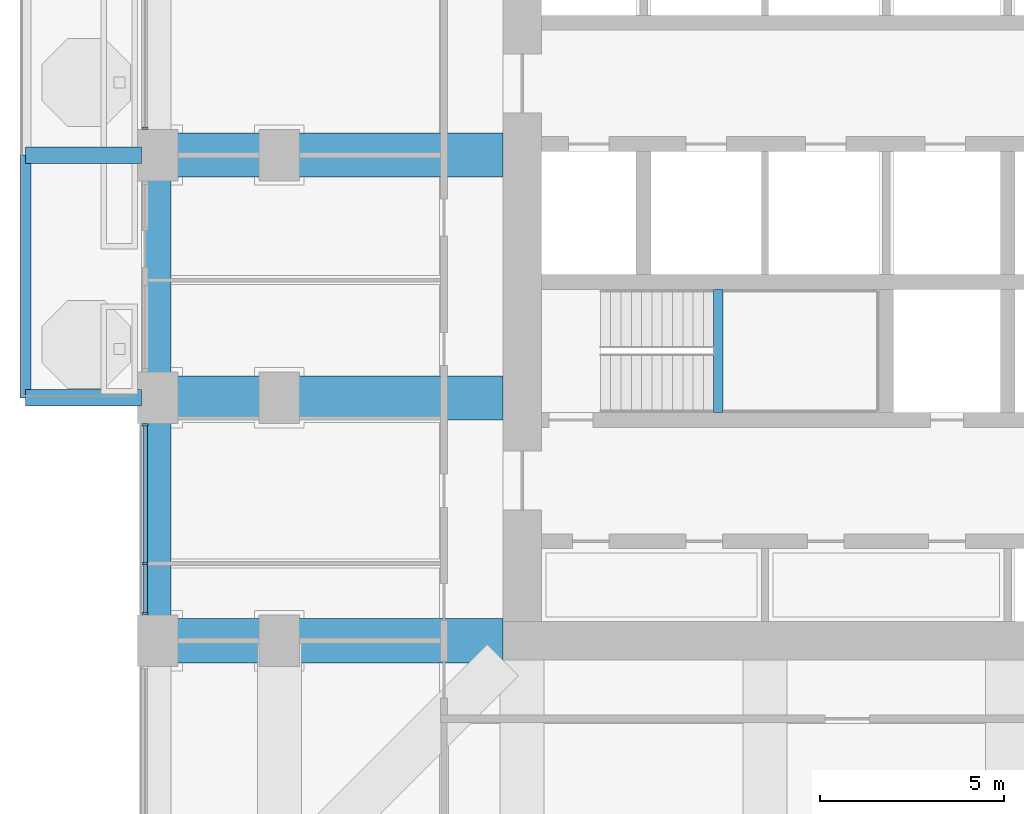
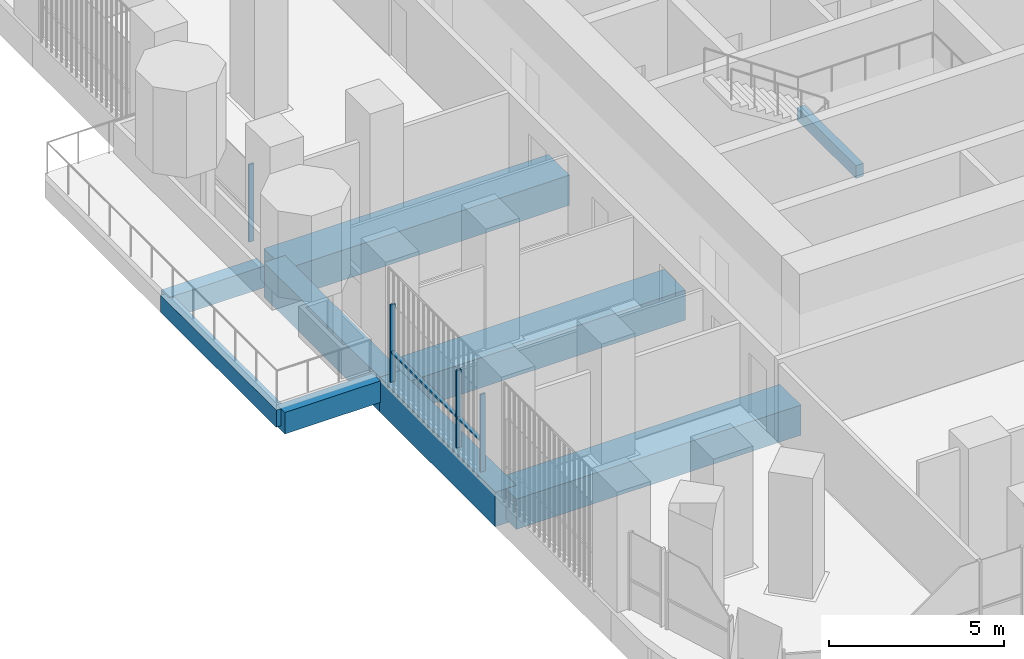
# One storey, part 4 of 22: 9 beams, 6 members, 2 elements without a shape of their own.
"""IFC4 building model written with IfcOpenShell, lengths in metres."""

from ifc_helpers import new_model, si_unit, direction, frame, origin, origin_2d, place, context, subcontext, project, spatial, rectangle, extrude, material, material_profile, profile_set, type_object, element, aggregate, save


model = new_model("IFC4")

# Units and contexts
model_context = context("Model", 3, precision=1e-05, world=origin(), true_north=direction((0.0, 1.0)))
body_context = subcontext(model_context, "Body", "Model", "MODEL_VIEW")
ifc_project = project(units=[si_unit("LENGTHUNIT", "METRE"), si_unit("AREAUNIT", "SQUARE_METRE"), si_unit("VOLUMEUNIT", "CUBIC_METRE"), si_unit("PLANEANGLEUNIT", "RADIAN"), si_unit("MASSUNIT", "GRAM", prefix="KILO")], contexts=[model_context])

# Site, building, storey
site_placement = place(None, origin())
site = spatial("IfcSite", under=ifc_project, at=site_placement, CompositionType="ELEMENT")
building_placement = place(site_placement, origin())
building = spatial("IfcBuilding", under=site, at=building_placement, Name="Cobogo Forest Laboratory Tower", CompositionType="ELEMENT")
storey_placement = place(building_placement, frame((0.0, 0.0, 120.0)))
storey = spatial("IfcBuildingStorey", under=building, at=storey_placement, Name="L27", CompositionType="ELEMENT", Elevation=120.0)

# Beams
ifc_material_1 = material(Name="Concrete HA-40 (C40/50)", Category="concrete")
ifc_material_profile_1 = material_profile(ifc_material_1, rectangle(XDim=0.449951171875, YDim=0.75, at=origin_2d()), Name="RC 450x750")
ifc_profile_set_1 = profile_set([ifc_material_profile_1], Name="Concrete HA-40 (C40/50)")
beam_type_1 = type_object("IfcBeamType", Name="Balcony cantilever beam 450x750", PredefinedType="BEAM", material=ifc_profile_set_1)
for number, where, z_axis, x_axis, name in (
    (1, (2.85009765625, 19.800048828125, -0.625), (-1.0, 0.0, 0.0), (0.0, -1.0, 0.0), "CB1 BAL-W1-C1 L27"),
    (2, (2.85009765625, 26.39990234375, -0.625), (-1.0, 0.0, 0.0), (0.0, -1.0, 0.0), "CB1 BAL-W1-C2 L27"),
):
    element("IfcBeam", number, at=place(storey_placement, frame(where, z_axis=z_axis, x_axis=x_axis)), inside=storey, type_object=beam_type_1, Name=name, PredefinedType="BEAM", context=body_context, shape_type="SweptSolid", body=[
        extrude(rectangle(XDim=0.449951171875, YDim=0.75, at=origin_2d()), origin(), (0.0, 0.0, 1.0), 3.150146484375),
    ])
ifc_material_profile_2 = material_profile(ifc_material_1, rectangle(XDim=0.300048828125, YDim=0.60009765625, at=origin_2d()), Name="RC 300x600")
ifc_profile_set_2 = profile_set([ifc_material_profile_2], Name="Concrete HA-40 (C40/50)")
beam_type_2 = type_object("IfcBeamType", Name="Balcony edge beam 300x600", PredefinedType="BEAM", material=ifc_profile_set_2)
beam_1_placement = place(storey_placement, frame((-0.300048828125, 19.800048828125, -0.550048828125), z_axis=(0.0, 1.0, 0.0), x_axis=(-1.0, 0.0, 0.0)))
element("IfcBeam", 3, at=beam_1_placement, inside=storey, type_object=beam_type_2, Name="BB1 BAL-W1-T1 L27", PredefinedType="BEAM", context=body_context, shape_type="SweptSolid", body=[
    extrude(rectangle(XDim=0.300048828125, YDim=0.60009765625, at=origin_2d()), origin(), (0.0, 0.0, 1.0), 6.599853515625),
])
ifc_material_profile_3 = material_profile(ifc_material_1, rectangle(XDim=0.25, YDim=0.449951171875, at=origin_2d()), Name="RC 250x450")
ifc_profile_set_3 = profile_set([ifc_material_profile_3], Name="Concrete HA-40 (C40/50)")
beam_type_3 = type_object("IfcBeamType", Name="LB1 landing beam 250x450", PredefinedType="BEAM", material=ifc_profile_set_3)
beam_2_placement = place(storey_placement, frame((18.530029296875, 19.39990234375, 1.675048828125), z_axis=(0.0, 1.0, 0.0), x_axis=(-1.0, 0.0, 0.0)))
element("IfcBeam", 4, at=beam_2_placement, inside=storey, type_object=beam_type_3, Name="Landing beam ST1 L27", PredefinedType="BEAM", context=body_context, shape_type="SweptSolid", body=[
    extrude(rectangle(XDim=0.25, YDim=0.449951171875, at=origin_2d()), origin(), (0.0, 0.0, 1.0), 3.35009765625),
])
ifc_material_profile_4 = material_profile(ifc_material_1, rectangle(XDim=1.199951171875, YDim=1.050048828125, at=origin_2d()), Name="RC 1200x1050")
ifc_profile_set_4 = profile_set([ifc_material_profile_4], Name="Concrete HA-40 (C40/50)")
beam_type_4 = type_object("IfcBeamType", Name="Laboratory floor wide beam 1200x1050", PredefinedType="BEAM", material=ifc_profile_set_4)
for number, where, z_axis, x_axis, name in (
    (5, (12.675048828125, 13.199951171875, -0.824951171875), (-1.0, 0.0, 0.0), (0.0, -1.0, 0.0), "RB1 R-C-W L27"),
    (6, (12.675048828125, 19.800048828125, -0.824951171875), (-1.0, 0.0, 0.0), (0.0, -1.0, 0.0), "RB1 R-D-W L27"),
    (7, (12.675048828125, 26.39990234375, -0.824951171875), (-1.0, 0.0, 0.0), (0.0, -1.0, 0.0), "RB1 R-E-W L27"),
):
    element("IfcBeam", number, at=place(storey_placement, frame(where, z_axis=z_axis, x_axis=x_axis)), inside=storey, type_object=beam_type_4, Name=name, PredefinedType="BEAM", context=body_context, shape_type="SweptSolid", body=[
        extrude(rectangle(XDim=1.199951171875, YDim=1.050048828125, at=origin_2d()), origin(), (0.0, 0.0, 1.0), 9.375),
    ])

# Curtain wall, member
ifc_material_2 = material(Name="Aluminium curtain wall", Category="aluminium")
curtain_wall_type = type_object("IfcCurtainWallType", Name="CW-1 unitised curtain wall, clear glazing, laboratory floors zones A and B", PredefinedType="USERDEFINED", material=ifc_material_2)
curtain_wall_1_placement = place(storey_placement, origin())
curtain_wall_1 = element("IfcCurtainWall", 8, at=curtain_wall_1_placement, inside=storey, type_object=curtain_wall_type, Name="Curtain wall 28 L27", ObjectType="UNITISED CURTAIN WALL", PredefinedType="USERDEFINED")
ifc_material_3 = material(Name="Aluminium mullion", Category="aluminium")
ifc_material_profile_5 = material_profile(ifc_material_3, rectangle(XDim=0.06005859375, YDim=0.159912109375, at=origin_2d()), Name="AL 60x160")
ifc_profile_set_5 = profile_set([ifc_material_profile_5], Name="Aluminium mullion")
member_type_1 = type_object("IfcMemberType", Name="MU-1 aluminium mullion 60x160", PredefinedType="MULLION", material=ifc_profile_set_5)
member_1_placement = place(storey_placement, frame((2.949951171875, 27.1298828125, 0.0), z_axis=(0.0, 0.0, 1.0), x_axis=(0.0, -1.0, 0.0)))
member_1 = element("IfcMember", 9, at=member_1_placement, type_object=member_type_1, Name="CW-1 mullion 2", PredefinedType="MULLION", context=body_context, shape_type="SweptSolid", body=[
    extrude(rectangle(XDim=0.06005859375, YDim=0.159912109375, at=origin_2d()), origin(), (0.0, 0.0, 1.0), 2.699951171875),
])
aggregate(curtain_wall_1, [member_1])

# Curtain wall, members
curtain_wall_2_placement = place(storey_placement, origin())
curtain_wall_2 = element("IfcCurtainWall", 10, at=curtain_wall_2_placement, inside=storey, type_object=curtain_wall_type, Name="Curtain wall 30 L27", ObjectType="UNITISED CURTAIN WALL", PredefinedType="USERDEFINED")
member_2_placement = place(storey_placement, frame((2.949951171875, 19.070068359375, 0.0), z_axis=(0.0, 0.0, 1.0), x_axis=(0.0, -1.0, 0.0)))
member_2 = element("IfcMember", 11, at=member_2_placement, type_object=member_type_1, Name="CW-1 mullion 1", PredefinedType="MULLION", context=body_context, shape_type="SweptSolid", body=[
    extrude(rectangle(XDim=0.06005859375, YDim=0.159912109375, at=origin_2d()), origin(), (0.0, 0.0, 1.0), 2.699951171875),
])
member_3_placement = place(storey_placement, frame((2.949951171875, 15.300048828125, 0.0), z_axis=(0.0, 0.0, 1.0), x_axis=(0.0, -1.0, 0.0)))
member_3 = element("IfcMember", 12, at=member_3_placement, type_object=member_type_1, Name="CW-1 mullion 2", PredefinedType="MULLION", context=body_context, shape_type="SweptSolid", body=[
    extrude(rectangle(XDim=0.06005859375, YDim=0.159912109375, at=origin_2d()), origin(), (0.0, 0.0, 1.0), 2.699951171875),
])
member_4_placement = place(storey_placement, frame((2.949951171875, 13.929931640625, 0.0), z_axis=(0.0, 0.0, 1.0), x_axis=(0.0, -1.0, 0.0)))
member_4 = element("IfcMember", 13, at=member_4_placement, type_object=member_type_1, Name="CW-1 mullion 3", PredefinedType="MULLION", context=body_context, shape_type="SweptSolid", body=[
    extrude(rectangle(XDim=0.06005859375, YDim=0.159912109375, at=origin_2d()), origin(), (0.0, 0.0, 1.0), 2.699951171875),
])

# Beams
ifc_material_profile_6 = material_profile(ifc_material_1, rectangle(XDim=0.699951171875, YDim=1.199951171875, at=origin_2d()), Name="RC 700x1200")
ifc_profile_set_6 = profile_set([ifc_material_profile_6], Name="Concrete HA-40 (C40/50)")
beam_type_5 = type_object("IfcBeamType", Name="Perimeter edge beam 700x1200", PredefinedType="BEAM", material=ifc_profile_set_6)
beam_3_placement = place(storey_placement, frame((3.300048828125, 13.199951171875, -0.89990234375), z_axis=(0.0, 1.0, 0.0), x_axis=(-1.0, 0.0, 0.0)))
element("IfcBeam", 14, at=beam_3_placement, inside=storey, type_object=beam_type_5, Name="EB1 E-W2 L27", PredefinedType="BEAM", context=body_context, shape_type="SweptSolid", body=[
    extrude(rectangle(XDim=0.699951171875, YDim=1.199951171875, at=origin_2d()), origin(), (0.0, 0.0, 1.0), 6.60009765625),
])
beam_4_placement = place(storey_placement, frame((3.300048828125, 19.800048828125, -0.89990234375), z_axis=(0.0, 1.0, 0.0), x_axis=(-1.0, 0.0, 0.0)))
element("IfcBeam", 15, at=beam_4_placement, inside=storey, type_object=beam_type_5, Name="EB1 E-W3 L27", PredefinedType="BEAM", context=body_context, shape_type="SweptSolid", body=[
    extrude(rectangle(XDim=0.699951171875, YDim=1.199951171875, at=origin_2d()), origin(), (0.0, 0.0, 1.0), 6.599853515625),
])

# Member
ifc_material_4 = material(Name="Aluminium transom", Category="aluminium")
ifc_material_profile_7 = material_profile(ifc_material_4, rectangle(XDim=0.1201171875, YDim=0.06005859375, at=origin_2d()), Name="AL 60x120")
ifc_profile_set_7 = profile_set([ifc_material_profile_7], Name="Aluminium transom")
member_type_2 = type_object("IfcMemberType", Name="TR-1 aluminium transom 60x120", PredefinedType="USERDEFINED", material=ifc_profile_set_7)
member_5_placement = place(storey_placement, frame((2.949951171875, 19.0400390625, 1.050048828125), z_axis=(0.0, -1.0, 0.0), x_axis=(1.0, 0.0, 0.0)))
member_5 = element("IfcMember", 16, at=member_5_placement, type_object=member_type_2, Name="CW-1 transom 1.1", ObjectType="TRANSOM", PredefinedType="USERDEFINED", context=body_context, shape_type="SweptSolid", body=[
    extrude(rectangle(XDim=0.1201171875, YDim=0.06005859375, at=origin_2d()), origin(), (0.0, 0.0, 1.0), 3.7099609375),
])

member_6_placement = place(storey_placement, frame((2.949951171875, 15.27001953125, 1.050048828125), z_axis=(0.0, -1.0, 0.0), x_axis=(1.0, 0.0, 0.0)))
member_6 = element("IfcMember", 17, at=member_6_placement, type_object=member_type_2, Name="CW-1 transom 2.1", ObjectType="TRANSOM", PredefinedType="USERDEFINED", context=body_context, shape_type="SweptSolid", body=[
    extrude(rectangle(XDim=0.1201171875, YDim=0.06005859375, at=origin_2d()), origin(), (0.0, 0.0, 1.0), 1.31005859375),
])

aggregate(curtain_wall_2, [member_2, member_3, member_4, member_5, member_6])

save(model, "model.ifc")
